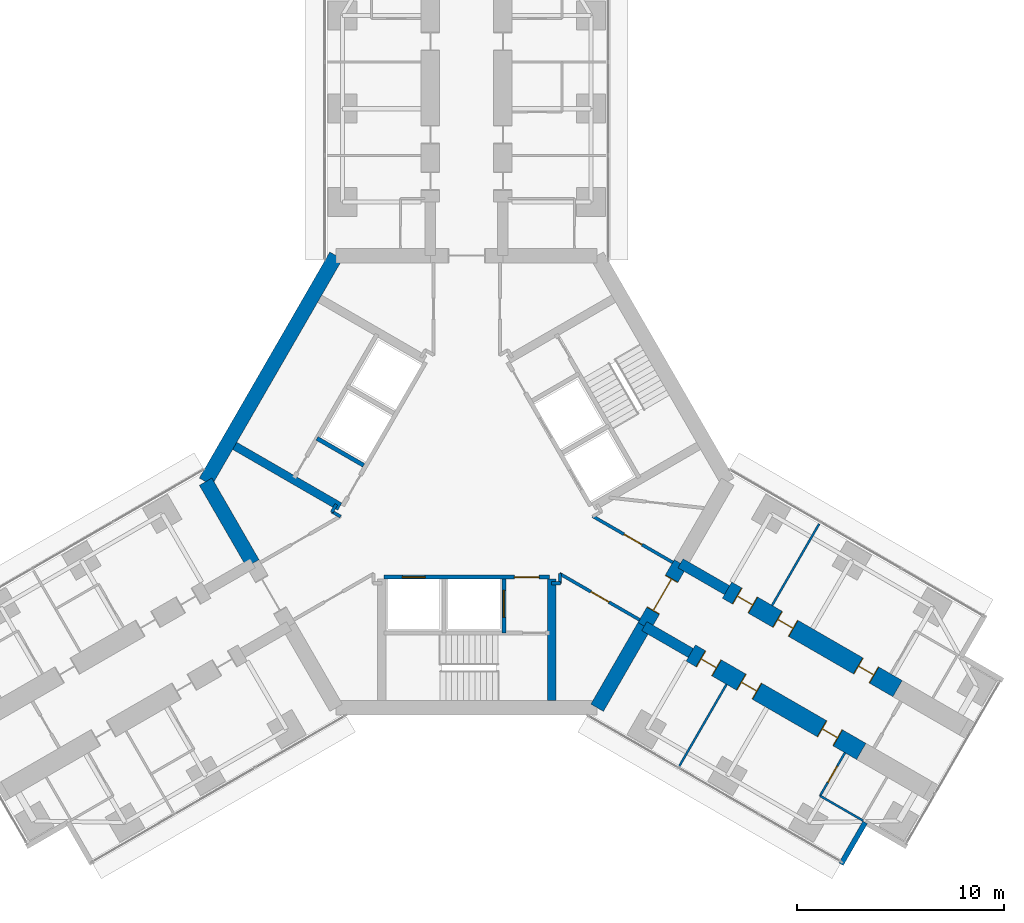
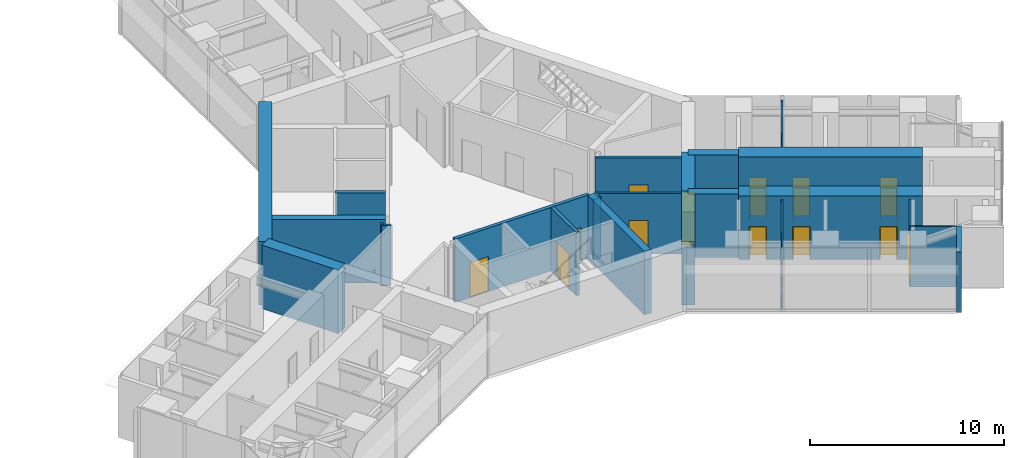
# One storey, part 21 of 25: 24 walls, 13 doors, 13 openings.
"""IFC4 building model written with IfcOpenShell, lengths in metres."""

from ifc_helpers import new_model, si_unit, direction, frame, frame_2d, origin, place, context, subcontext, project, spatial, rectangle, extrude, material, layer, layer_set, type_object, element, fill, save


model = new_model("IFC4")

# Units and contexts
model_context = context("Model", 3, precision=1e-05, world=origin(), true_north=direction((0.0, 1.0)))
body_context = subcontext(model_context, "Body", "Model", "MODEL_VIEW")
ifc_project = project(units=[si_unit("LENGTHUNIT", "METRE"), si_unit("AREAUNIT", "SQUARE_METRE"), si_unit("VOLUMEUNIT", "CUBIC_METRE"), si_unit("PLANEANGLEUNIT", "RADIAN"), si_unit("MASSUNIT", "GRAM", prefix="KILO")], contexts=[model_context])

# Site, building, storey
site_placement = place(None, origin())
site = spatial("IfcSite", under=ifc_project, at=site_placement, CompositionType="ELEMENT")
building_placement = place(site_placement, origin())
building = spatial("IfcBuilding", under=site, at=building_placement, Name="Upepo Twin Towers", CompositionType="ELEMENT")
storey_placement = place(building_placement, frame((0.0, 0.0, 80.5)))
storey = spatial("IfcBuildingStorey", under=building, at=storey_placement, Name="L19", CompositionType="ELEMENT", Elevation=80.5)

# Walls
ifc_material_1 = material(Name="Concrete C60/75", Category="concrete")
ifc_layer_1 = layer(ifc_material_1, 0.5)
ifc_layer_set_1 = layer_set([ifc_layer_1], Name="Concrete C60/75")
wall_type_1 = type_object("IfcWallType", Name="Buttress wall 500 RC", PredefinedType="SHEAR", material=ifc_layer_set_1)
for number, where, z_axis, x_axis, name in (
    (1, (68.82177734375, -21.938720703125, 0.0), (0.0, 0.0, 1.0), (0.866072649678, -0.499918158782, 0.0), "T2 wing C buttress wall L"),
    (2, (67.07177734375, -24.9697265625, 0.0), (0.0, 0.0, 1.0), (0.866031863473, -0.499988811324, 0.0), "T2 wing C buttress wall R"),
):
    element("IfcWall", number, at=place(storey_placement, frame(where, z_axis=z_axis, x_axis=x_axis)), inside=storey, type_object=wall_type_1, Name=name, PredefinedType="SHEAR", context=body_context, shape_type="SweptSolid", body=[
        extrude(rectangle(XDim=2.591796875, YDim=0.5, at=frame_2d((1.2958984375, 0.0))), origin(), (0.0, 0.0, 1.0), 4.0),
    ])

# Wall, openings, doors
ifc_material_2 = material(Name="Concrete C60/75", Category="concrete")
ifc_layer_2 = layer(ifc_material_2, 0.89990234375)
ifc_layer_set_2 = layer_set([ifc_layer_2], Name="Concrete C60/75")
wall_type_2 = type_object("IfcWallType", Name="Buttress wall 900 RC", PredefinedType="SHEAR", material=ifc_layer_set_2)
wall_1_placement = place(storey_placement, frame((71.06640625, -23.234375, 0.0), z_axis=(0.0, 0.0, 1.0), x_axis=(0.86602681393, -0.499997557548, 0.0)))
wall_1 = element("IfcWall", 3, at=wall_1_placement, inside=storey, type_object=wall_type_2, Name="T2 wing C buttress wall L part 2", PredefinedType="SHEAR", context=body_context, shape_type="SweptSolid", body=[
    extrude(rectangle(XDim=9.5, YDim=0.89990234375, at=frame_2d((4.75, 0.0))), origin(), (0.0, 0.0, 1.0), 4.0),
])
opening_1_placement = place(wall_1_placement, frame((0.550048828125, 0.0, 0.0)))
opening_1 = element("IfcOpeningElement", 4, at=opening_1_placement, cuts=wall_1, Name="Opening D14", PredefinedType="OPENING", context=body_context, shape_type="SweptSolid", body=[
    extrude(rectangle(XDim=0.89990234375, YDim=2.10009765625, at=frame_2d((0.449951171875, 1.050048828125))), frame((0.0, 0.4599609375, 0.0), z_axis=(0.0, -1.0, 0.0), x_axis=(1.0, 0.0, 0.0)), (0.0, 0.0, 1.0), 0.919921875),
])
opening_2_placement = place(wall_1_placement, frame((2.800048828125, 0.0, 0.0)))
opening_2 = element("IfcOpeningElement", 5, at=opening_2_placement, cuts=wall_1, Name="Opening D14", PredefinedType="OPENING", context=body_context, shape_type="SweptSolid", body=[
    extrude(rectangle(XDim=0.89990234375, YDim=2.10009765625, at=frame_2d((0.449951171875, 1.050048828125))), frame((0.0, 0.4599609375, 0.0), z_axis=(0.0, -1.0, 0.0), x_axis=(1.0, 0.0, 0.0)), (0.0, 0.0, 1.0), 0.919921875),
])
opening_3_placement = place(wall_1_placement, frame((7.300048828125, 0.0, 0.0)))
opening_3 = element("IfcOpeningElement", 6, at=opening_3_placement, cuts=wall_1, Name="Opening D14", PredefinedType="OPENING", context=body_context, shape_type="SweptSolid", body=[
    extrude(rectangle(XDim=0.89990234375, YDim=2.10009765625, at=frame_2d((0.449951171875, 1.050048828125))), frame((0.0, 0.4599609375, 0.0), z_axis=(0.0, -1.0, 0.0), x_axis=(1.0, 0.0, 0.0)), (0.0, 0.0, 1.0), 0.919921875),
])
ifc_material_3 = material(Name="Timber doorset", Category="wood")
door_type_1 = type_object("IfcDoorType", Name="Office door 900 FD30", OperationType="SINGLE_SWING_LEFT", PredefinedType="DOOR", material=ifc_material_3)
door_1_placement = place(opening_1_placement, origin())
door_1 = element("IfcDoor", 7, at=door_1_placement, inside=storey, type_object=door_type_1, Name="T2 L19 staff office door", OperationType="SINGLE_SWING_LEFT", OverallHeight=2.10009765625, OverallWidth=0.89990234375, PredefinedType="DOOR", context=body_context, shape_type="SweptSolid", body=[
    extrude(rectangle(XDim=0.81990234375, YDim=2.06009765625, at=frame_2d((0.449951171875, 1.030029296875))), frame((0.0, 0.02490234375, 0.0), z_axis=(0.0, -1.0, 0.0), x_axis=(1.0, 0.0, 0.0)), (0.0, 0.0, 1.0), 0.050048828125),
    extrude(rectangle(XDim=0.04, YDim=2.10009765625, at=frame_2d((0.02001953125, 1.050048828125))), frame((0.0, 0.44970703125, 0.0), z_axis=(0.0, -1.0, 0.0), x_axis=(1.0, 0.0, 0.0)), (0.0, 0.0, 1.0), 0.8994140625),
    extrude(rectangle(XDim=0.04, YDim=2.10009765625, at=frame_2d((0.8798828125, 1.050048828125))), frame((0.0, 0.44970703125, 0.0), z_axis=(0.0, -1.0, 0.0), x_axis=(1.0, 0.0, 0.0)), (0.0, 0.0, 1.0), 0.8994140625),
    extrude(rectangle(XDim=0.81990234375, YDim=0.04, at=frame_2d((0.449951171875, 2.080078125))), frame((0.0, 0.44970703125, 0.0), z_axis=(0.0, -1.0, 0.0), x_axis=(1.0, 0.0, 0.0)), (0.0, 0.0, 1.0), 0.8994140625),
])
fill(opening_1, door_1)
door_2_placement = place(opening_2_placement, origin())
door_2 = element("IfcDoor", 8, at=door_2_placement, inside=storey, type_object=door_type_1, Name="T2 L19 open-plan staff office door", OperationType="SINGLE_SWING_LEFT", OverallHeight=2.10009765625, OverallWidth=0.89990234375, PredefinedType="DOOR", context=body_context, shape_type="SweptSolid", body=[
    extrude(rectangle(XDim=0.81990234375, YDim=2.06009765625, at=frame_2d((0.449951171875, 1.030029296875))), frame((0.0, 0.02490234375, 0.0), z_axis=(0.0, -1.0, 0.0), x_axis=(1.0, 0.0, 0.0)), (0.0, 0.0, 1.0), 0.050048828125),
    extrude(rectangle(XDim=0.04, YDim=2.10009765625, at=frame_2d((0.02001953125, 1.050048828125))), frame((0.0, 0.44970703125, 0.0), z_axis=(0.0, -1.0, 0.0), x_axis=(1.0, 0.0, 0.0)), (0.0, 0.0, 1.0), 0.8994140625),
    extrude(rectangle(XDim=0.04, YDim=2.10009765625, at=frame_2d((0.8798828125, 1.050048828125))), frame((0.0, 0.44970703125, 0.0), z_axis=(0.0, -1.0, 0.0), x_axis=(1.0, 0.0, 0.0)), (0.0, 0.0, 1.0), 0.8994140625),
    extrude(rectangle(XDim=0.81990234375, YDim=0.04, at=frame_2d((0.449951171875, 2.080078125))), frame((0.0, 0.44970703125, 0.0), z_axis=(0.0, -1.0, 0.0), x_axis=(1.0, 0.0, 0.0)), (0.0, 0.0, 1.0), 0.8994140625),
])
fill(opening_2, door_2)
door_3_placement = place(opening_3_placement, origin())
door_3 = element("IfcDoor", 9, at=door_3_placement, inside=storey, type_object=door_type_1, Name="T2 L19 open-plan staff office door", OperationType="SINGLE_SWING_RIGHT", OverallHeight=2.10009765625, OverallWidth=0.89990234375, PredefinedType="DOOR", context=body_context, shape_type="SweptSolid", body=[
    extrude(rectangle(XDim=0.81990234375, YDim=2.06009765625, at=frame_2d((0.449951171875, 1.030029296875))), frame((0.0, 0.02490234375, 0.0), z_axis=(0.0, -1.0, 0.0), x_axis=(1.0, 0.0, 0.0)), (0.0, 0.0, 1.0), 0.050048828125),
    extrude(rectangle(XDim=0.04, YDim=2.10009765625, at=frame_2d((0.02001953125, 1.050048828125))), frame((0.0, 0.44970703125, 0.0), z_axis=(0.0, -1.0, 0.0), x_axis=(1.0, 0.0, 0.0)), (0.0, 0.0, 1.0), 0.8994140625),
    extrude(rectangle(XDim=0.04, YDim=2.10009765625, at=frame_2d((0.8798828125, 1.050048828125))), frame((0.0, 0.44970703125, 0.0), z_axis=(0.0, -1.0, 0.0), x_axis=(1.0, 0.0, 0.0)), (0.0, 0.0, 1.0), 0.8994140625),
    extrude(rectangle(XDim=0.81990234375, YDim=0.04, at=frame_2d((0.449951171875, 2.080078125))), frame((0.0, 0.44970703125, 0.0), z_axis=(0.0, -1.0, 0.0), x_axis=(1.0, 0.0, 0.0)), (0.0, 0.0, 1.0), 0.8994140625),
])
fill(opening_3, door_3)

wall_2_placement = place(storey_placement, frame((69.31640625, -26.265625, 0.0), z_axis=(0.0, 0.0, 1.0), x_axis=(0.86602681393, -0.499997557548, 0.0)))
wall_2 = element("IfcWall", 10, at=wall_2_placement, inside=storey, type_object=wall_type_2, Name="T2 wing C buttress wall R part 2", PredefinedType="SHEAR", context=body_context, shape_type="SweptSolid", body=[
    extrude(rectangle(XDim=9.5, YDim=0.89990234375, at=frame_2d((4.75, 0.0))), origin(), (0.0, 0.0, 1.0), 4.0),
])
opening_4_placement = place(wall_2_placement, frame((0.550048828125, 0.0, 0.0)))
opening_4 = element("IfcOpeningElement", 11, at=opening_4_placement, cuts=wall_2, Name="Opening D14", PredefinedType="OPENING", context=body_context, shape_type="SweptSolid", body=[
    extrude(rectangle(XDim=0.89990234375, YDim=2.10009765625, at=frame_2d((0.449951171875, 1.050048828125))), frame((0.0, 0.4599609375, 0.0), z_axis=(0.0, -1.0, 0.0), x_axis=(1.0, 0.0, 0.0)), (0.0, 0.0, 1.0), 0.919921875),
])
opening_5_placement = place(wall_2_placement, frame((2.800048828125, 0.0, 0.0)))
opening_5 = element("IfcOpeningElement", 12, at=opening_5_placement, cuts=wall_2, Name="Opening D14", PredefinedType="OPENING", context=body_context, shape_type="SweptSolid", body=[
    extrude(rectangle(XDim=0.89990234375, YDim=2.10009765625, at=frame_2d((0.449951171875, 1.050048828125))), frame((0.0, 0.4599609375, 0.0), z_axis=(0.0, -1.0, 0.0), x_axis=(1.0, 0.0, 0.0)), (0.0, 0.0, 1.0), 0.919921875),
])
opening_6_placement = place(wall_2_placement, frame((7.300048828125, 0.0, 0.0)))
opening_6 = element("IfcOpeningElement", 13, at=opening_6_placement, cuts=wall_2, Name="Opening D14", PredefinedType="OPENING", context=body_context, shape_type="SweptSolid", body=[
    extrude(rectangle(XDim=0.89990234375, YDim=2.10009765625, at=frame_2d((0.449951171875, 1.050048828125))), frame((0.0, 0.4599609375, 0.0), z_axis=(0.0, -1.0, 0.0), x_axis=(1.0, 0.0, 0.0)), (0.0, 0.0, 1.0), 0.919921875),
])
door_4_placement = place(opening_4_placement, origin())
door_4 = element("IfcDoor", 14, at=door_4_placement, inside=storey, type_object=door_type_1, Name="T2 L19 postgraduate office door", OperationType="SINGLE_SWING_LEFT", OverallHeight=2.10009765625, OverallWidth=0.89990234375, PredefinedType="DOOR", context=body_context, shape_type="SweptSolid", body=[
    extrude(rectangle(XDim=0.81990234375, YDim=2.06009765625, at=frame_2d((0.449951171875, 1.030029296875))), frame((0.0, 0.02490234375, 0.0), z_axis=(0.0, -1.0, 0.0), x_axis=(1.0, 0.0, 0.0)), (0.0, 0.0, 1.0), 0.050048828125),
    extrude(rectangle(XDim=0.04, YDim=2.10009765625, at=frame_2d((0.02001953125, 1.050048828125))), frame((0.0, 0.44970703125, 0.0), z_axis=(0.0, -1.0, 0.0), x_axis=(1.0, 0.0, 0.0)), (0.0, 0.0, 1.0), 0.8994140625),
    extrude(rectangle(XDim=0.04, YDim=2.10009765625, at=frame_2d((0.8798828125, 1.050048828125))), frame((0.0, 0.44970703125, 0.0), z_axis=(0.0, -1.0, 0.0), x_axis=(1.0, 0.0, 0.0)), (0.0, 0.0, 1.0), 0.8994140625),
    extrude(rectangle(XDim=0.81990234375, YDim=0.04, at=frame_2d((0.449951171875, 2.080078125))), frame((0.0, 0.44970703125, 0.0), z_axis=(0.0, -1.0, 0.0), x_axis=(1.0, 0.0, 0.0)), (0.0, 0.0, 1.0), 0.8994140625),
])
fill(opening_4, door_4)
door_5_placement = place(opening_5_placement, origin())
door_5 = element("IfcDoor", 15, at=door_5_placement, inside=storey, type_object=door_type_1, Name="T2 L19 open-plan staff office door", OperationType="SINGLE_SWING_LEFT", OverallHeight=2.10009765625, OverallWidth=0.89990234375, PredefinedType="DOOR", context=body_context, shape_type="SweptSolid", body=[
    extrude(rectangle(XDim=0.81990234375, YDim=2.06009765625, at=frame_2d((0.449951171875, 1.030029296875))), frame((0.0, 0.02490234375, 0.0), z_axis=(0.0, -1.0, 0.0), x_axis=(1.0, 0.0, 0.0)), (0.0, 0.0, 1.0), 0.050048828125),
    extrude(rectangle(XDim=0.04, YDim=2.10009765625, at=frame_2d((0.02001953125, 1.050048828125))), frame((0.0, 0.44970703125, 0.0), z_axis=(0.0, -1.0, 0.0), x_axis=(1.0, 0.0, 0.0)), (0.0, 0.0, 1.0), 0.8994140625),
    extrude(rectangle(XDim=0.04, YDim=2.10009765625, at=frame_2d((0.8798828125, 1.050048828125))), frame((0.0, 0.44970703125, 0.0), z_axis=(0.0, -1.0, 0.0), x_axis=(1.0, 0.0, 0.0)), (0.0, 0.0, 1.0), 0.8994140625),
    extrude(rectangle(XDim=0.81990234375, YDim=0.04, at=frame_2d((0.449951171875, 2.080078125))), frame((0.0, 0.44970703125, 0.0), z_axis=(0.0, -1.0, 0.0), x_axis=(1.0, 0.0, 0.0)), (0.0, 0.0, 1.0), 0.8994140625),
])
fill(opening_5, door_5)
door_6_placement = place(opening_6_placement, origin())
door_6 = element("IfcDoor", 16, at=door_6_placement, inside=storey, type_object=door_type_1, Name="T2 L19 open-plan staff office door", OperationType="SINGLE_SWING_RIGHT", OverallHeight=2.10009765625, OverallWidth=0.89990234375, PredefinedType="DOOR", context=body_context, shape_type="SweptSolid", body=[
    extrude(rectangle(XDim=0.81990234375, YDim=2.06009765625, at=frame_2d((0.449951171875, 1.030029296875))), frame((0.0, 0.02490234375, 0.0), z_axis=(0.0, -1.0, 0.0), x_axis=(1.0, 0.0, 0.0)), (0.0, 0.0, 1.0), 0.050048828125),
    extrude(rectangle(XDim=0.04, YDim=2.10009765625, at=frame_2d((0.02001953125, 1.050048828125))), frame((0.0, 0.44970703125, 0.0), z_axis=(0.0, -1.0, 0.0), x_axis=(1.0, 0.0, 0.0)), (0.0, 0.0, 1.0), 0.8994140625),
    extrude(rectangle(XDim=0.04, YDim=2.10009765625, at=frame_2d((0.8798828125, 1.050048828125))), frame((0.0, 0.44970703125, 0.0), z_axis=(0.0, -1.0, 0.0), x_axis=(1.0, 0.0, 0.0)), (0.0, 0.0, 1.0), 0.8994140625),
    extrude(rectangle(XDim=0.81990234375, YDim=0.04, at=frame_2d((0.449951171875, 2.080078125))), frame((0.0, 0.44970703125, 0.0), z_axis=(0.0, -1.0, 0.0), x_axis=(1.0, 0.0, 0.0)), (0.0, 0.0, 1.0), 0.8994140625),
])
fill(opening_6, door_6)

# Walls
ifc_material_4 = material(Name="Concrete C60/75", Category="concrete")
ifc_layer_3 = layer(ifc_material_4, 0.699951171875)
ifc_layer_set_3 = layer_set([ifc_layer_3], Name="Concrete C60/75")
wall_type_3 = type_object("IfcWallType", Name="Core wall 700 RC", PredefinedType="SHEAR", material=ifc_layer_set_3)
wall_3_placement = place(storey_placement, frame((52.2021484375, -7.091552734375, 0.0), z_axis=(0.0, 0.0, 1.0), x_axis=(-0.500005998175, -0.866021940709, 0.0)))
element("IfcWall", 17, at=wall_3_placement, inside=storey, type_object=wall_type_3, Name="T2 core wall 060", PredefinedType="SHEAR", context=body_context, shape_type="SweptSolid", body=[
    extrude(rectangle(XDim=12.595947265625, YDim=0.699951171875, at=frame_2d((6.2978515625, 0.0))), origin(), (0.0, 0.0, 1.0), 4.0),
])
for number, where, z_axis, x_axis, name in (
    (18, (45.904052734375, -18.0, 0.0), (0.0, 0.0, 1.0), (0.500024481964, -0.866011268655, 0.0), "T2 core wall 120 R"),
    (19, (64.7978515625, -28.908447265625, 0.0), (0.0, 0.0, 1.0), (0.499984222037, 0.866034513004, 0.0), "T2 core wall 240 R"),
):
    element("IfcWall", number, at=place(storey_placement, frame(where, z_axis=z_axis, x_axis=x_axis)), inside=storey, type_object=wall_type_3, Name=name, PredefinedType="SHEAR", context=body_context, shape_type="SweptSolid", body=[
        extrude(rectangle(XDim=4.548095703125, YDim=0.699951171875, at=frame_2d((2.27392578125, 0.0))), origin(), (0.0, 0.0, 1.0), 4.0),
    ])

# Wall, opening, door
wall_4_placement = place(storey_placement, frame((67.07177734375, -24.9697265625, 0.0), z_axis=(0.0, 0.0, 1.0), x_axis=(0.500010275428, 0.866019471182, 0.0)))
wall_4 = element("IfcWall", 20, at=wall_4_placement, inside=storey, type_object=wall_type_3, Name="T2 core wall 240", PredefinedType="SHEAR", context=body_context, shape_type="SweptSolid", body=[
    extrude(rectangle(XDim=3.5, YDim=0.699951171875, at=frame_2d((1.75, 0.0))), origin(), (0.0, 0.0, 1.0), 4.0),
])
opening_7_placement = place(wall_4_placement, frame((0.85009765625, 0.0, 0.0)))
opening_7 = element("IfcOpeningElement", 21, at=opening_7_placement, cuts=wall_4, Name="Opening D2", PredefinedType="OPENING", context=body_context, shape_type="SweptSolid", body=[
    extrude(rectangle(XDim=1.800048828125, YDim=2.10009765625, at=frame_2d((0.89990234375, 1.050048828125))), frame((0.0, 0.35986328125, 0.0), z_axis=(0.0, -1.0, 0.0), x_axis=(1.0, 0.0, 0.0)), (0.0, 0.0, 1.0), 0.719970703125),
])
ifc_material_5 = material(Name="Timber doorset", Category="wood")
door_type_2 = type_object("IfcDoorType", Name="Corridor double door 1800 FD60", OperationType="DOUBLE_DOOR_DOUBLE_SWING", PredefinedType="DOOR", material=ifc_material_5)
door_7_placement = place(opening_7_placement, origin())
door_7 = element("IfcDoor", 22, at=door_7_placement, inside=storey, type_object=door_type_2, Name="T2 L19 wing C corridor door", OperationType="DOUBLE_DOOR_DOUBLE_SWING", OverallHeight=2.10009765625, OverallWidth=1.800048828125, PredefinedType="DOOR", context=body_context, shape_type="SweptSolid", body=[
    extrude(rectangle(XDim=1.720048828125, YDim=2.06009765625, at=frame_2d((0.89990234375, 1.030029296875))), frame((0.0, 0.02490234375, 0.0), z_axis=(0.0, -1.0, 0.0), x_axis=(1.0, 0.0, 0.0)), (0.0, 0.0, 1.0), 0.050048828125),
    extrude(rectangle(XDim=0.04, YDim=2.10009765625, at=frame_2d((0.02001953125, 1.050048828125))), frame((0.0, 0.349609375, 0.0), z_axis=(0.0, -1.0, 0.0), x_axis=(1.0, 0.0, 0.0)), (0.0, 0.0, 1.0), 0.699462890625),
    extrude(rectangle(XDim=0.04, YDim=2.10009765625, at=frame_2d((1.780029296875, 1.050048828125))), frame((0.0, 0.349609375, 0.0), z_axis=(0.0, -1.0, 0.0), x_axis=(1.0, 0.0, 0.0)), (0.0, 0.0, 1.0), 0.699462890625),
    extrude(rectangle(XDim=1.720048828125, YDim=0.04, at=frame_2d((0.89990234375, 2.080078125))), frame((0.0, 0.349609375, 0.0), z_axis=(0.0, -1.0, 0.0), x_axis=(1.0, 0.0, 0.0)), (0.0, 0.0, 1.0), 0.699462890625),
])
fill(opening_7, door_7)

# Walls
ifc_material_6 = material(Name="Blockwork with anodised aluminium cladding", Category="masonry")
ifc_layer_4 = layer(ifc_material_6, 0.25)
ifc_layer_set_4 = layer_set([ifc_layer_4], Name="Notch cladding wall 250, pale metal")
wall_type_4 = type_object("IfcWallType", Name="Notch cladding wall 250, pale metal", PredefinedType="STANDARD", material=ifc_layer_set_4)
wall_5_placement = place(storey_placement, frame((76.5673828125, -36.456298828125, 0.0), z_axis=(0.0, 0.0, 1.0), x_axis=(0.500046648681, 0.865998469481, 0.0)))
element("IfcWall", 23, at=wall_5_placement, inside=storey, type_object=wall_type_4, Name="T2 L19 wing C notch wall R1", PredefinedType="STANDARD", context=body_context, shape_type="SweptSolid", body=[
    extrude(rectangle(XDim=2.324951171875, YDim=0.25, at=frame_2d((1.16259765625, 0.0))), origin(), (0.0, 0.0, 1.0), 3.800048828125),
])
ifc_material_7 = material(Name="Gypsum board on steel studs", Category="steel")
ifc_layer_5 = layer(ifc_material_7, 0.10009765625)
ifc_layer_set_5 = layer_set([ifc_layer_5], Name="Office partition 100 stud")
wall_type_5 = type_object("IfcWallType", Name="Office partition 100 stud", PredefinedType="PARTITIONING", material=ifc_layer_set_5)
for number, where, z_axis, x_axis, name in (
    (24, (73.239990234375, -23.9697265625, 0.0), (0.0, 0.0, 1.0), (0.499982560684, 0.866035472144, 0.0), "T2 partition CL at 15.75"),
    (25, (71.039794921875, -27.7802734375, 0.0), (0.0, 0.0, 1.0), (-0.499982560684, -0.866035472144, 0.0), "T2 partition CR at 15.75"),
):
    element("IfcWall", number, at=place(storey_placement, frame(where, z_axis=z_axis, x_axis=x_axis)), inside=storey, type_object=wall_type_5, Name=name, PredefinedType="PARTITIONING", context=body_context, shape_type="SweptSolid", body=[
        extrude(rectangle(XDim=4.550048828125, YDim=0.10009765625, at=frame_2d((2.27490234375, 0.0))), origin(), (0.0, 0.0, 1.0), 3.800048828125),
    ])
wall_6_placement = place(storey_placement, frame((75.5556640625, -33.15869140625, 0.0), z_axis=(0.0, 0.0, 1.0), x_axis=(0.866024647952, -0.500001309137, 0.0)))
element("IfcWall", 26, at=wall_6_placement, inside=storey, type_object=wall_type_5, Name="T2 inner room partition CR at 22.35", PredefinedType="PARTITIONING", context=body_context, shape_type="SweptSolid", body=[
    extrude(rectangle(XDim=2.39990234375, YDim=0.10009765625, at=frame_2d((1.199951171875, 0.0))), origin(), (0.0, 0.0, 1.0), 3.800048828125),
])

# Wall, opening, door
wall_7_placement = place(storey_placement, frame((76.755615234375, -31.080322265625, 0.0), z_axis=(0.0, 0.0, 1.0), x_axis=(-0.500001309137, -0.866024647952, 0.0)))
wall_7 = element("IfcWall", 27, at=wall_7_placement, inside=storey, type_object=wall_type_5, Name="T2 inner room partition CR end at 22.35", PredefinedType="PARTITIONING", context=body_context, shape_type="SweptSolid", body=[
    extrude(rectangle(XDim=2.39990234375, YDim=0.10009765625, at=frame_2d((1.199951171875, 0.0))), origin(), (0.0, 0.0, 1.0), 3.800048828125),
])
opening_8_placement = place(wall_7_placement, frame((0.75, 0.0, 0.0)))
opening_8 = element("IfcOpeningElement", 28, at=opening_8_placement, cuts=wall_7, Name="Opening D14", PredefinedType="OPENING", context=body_context, shape_type="SweptSolid", body=[
    extrude(rectangle(XDim=0.89990234375, YDim=2.10009765625, at=frame_2d((0.449951171875, 1.050048828125))), frame((0.0, 0.06005859375, 0.0), z_axis=(0.0, -1.0, 0.0), x_axis=(1.0, 0.0, 0.0)), (0.0, 0.0, 1.0), 0.1201171875),
])
door_8_placement = place(opening_8_placement, origin())
door_8 = element("IfcDoor", 29, at=door_8_placement, inside=storey, type_object=door_type_1, Name="T2 L19 inner room door", OperationType="SINGLE_SWING_LEFT", OverallHeight=2.10009765625, OverallWidth=0.89990234375, PredefinedType="DOOR", context=body_context, shape_type="SweptSolid", body=[
    extrude(rectangle(XDim=0.89990234375, YDim=2.10009765625, at=frame_2d((0.449951171875, 1.050048828125))), frame((0.0, 0.02490234375, 0.0), z_axis=(0.0, -1.0, 0.0), x_axis=(1.0, 0.0, 0.0)), (0.0, 0.0, 1.0), 0.050048828125),
])
fill(opening_8, door_8)

# Wall
ifc_material_8 = material(Name="Concrete C40/50", Category="concrete")
ifc_layer_6 = layer(ifc_material_8, 0.199951171875)
ifc_layer_set_6 = layer_set([ifc_layer_6], Name="Concrete C40/50")
wall_type_6 = type_object("IfcWallType", Name="Shaft wall 200 RC", PredefinedType="SHEAR", material=ifc_layer_set_6)
wall_8_placement = place(storey_placement, frame((53.52978515625, -17.208740234375, 0.0), z_axis=(0.0, 0.0, 1.0), x_axis=(-0.866062058628, 0.499936506574, 0.0)))
element("IfcWall", 30, at=wall_8_placement, inside=storey, type_object=wall_type_6, Name="T2 core W60 lobby wall", PredefinedType="SHEAR", context=body_context, shape_type="SweptSolid", body=[
    extrude(rectangle(XDim=2.599853515625, YDim=0.199951171875, at=frame_2d((1.2998046875, 0.0))), origin(), (0.0, 0.0, 1.0), 4.0),
])

# Wall, openings, doors
wall_9_placement = place(storey_placement, frame((54.5, -22.60009765625, 0.0), z_axis=(0.0, 0.0, 1.0), x_axis=(1.0, 0.0, 0.0)))
wall_9 = element("IfcWall", 31, at=wall_9_placement, inside=storey, type_object=wall_type_6, Name="T2 core W180 front wall", PredefinedType="SHEAR", context=body_context, shape_type="SweptSolid", body=[
    extrude(rectangle(XDim=8.0, YDim=0.199951171875, at=frame_2d((4.0, 0.0))), origin(), (0.0, 0.0, 1.0), 4.0),
])
opening_9_placement = place(wall_9_placement, frame((6.300048828125, 0.0, 0.0)))
opening_9 = element("IfcOpeningElement", 32, at=opening_9_placement, cuts=wall_9, Name="Opening D4", PredefinedType="OPENING", context=body_context, shape_type="SweptSolid", body=[
    extrude(rectangle(XDim=1.199951171875, YDim=2.10009765625, at=frame_2d((0.60009765625, 1.050048828125))), frame((0.0, 0.10986328125, 0.0), z_axis=(0.0, -1.0, 0.0), x_axis=(1.0, 0.0, 0.0)), (0.0, 0.0, 1.0), 0.219970703125),
])
opening_10_placement = place(wall_9_placement, frame((0.89990234375, 0.0, 0.0)))
opening_10 = element("IfcOpeningElement", 33, at=opening_10_placement, cuts=wall_9, Name="Opening LD1", PredefinedType="OPENING", context=body_context, shape_type="SweptSolid", body=[
    extrude(rectangle(XDim=1.10009765625, YDim=2.199951171875, at=frame_2d((0.550048828125, 1.10009765625))), frame((0.0, 0.10986328125, 0.0), z_axis=(0.0, -1.0, 0.0), x_axis=(1.0, 0.0, 0.0)), (0.0, 0.0, 1.0), 0.219970703125),
])
ifc_material_9 = material(Name="Steel doorset", Category="steel")
door_type_3 = type_object("IfcDoorType", Name="Lift landing door 1100", OperationType="DOUBLE_DOOR_SLIDING", PredefinedType="DOOR", material=ifc_material_9)
door_9_placement = place(opening_10_placement, origin())
door_9 = element("IfcDoor", 34, at=door_9_placement, inside=storey, type_object=door_type_3, Name="T2 L19 lift SV1 landing door", OperationType="DOUBLE_DOOR_SLIDING", OverallHeight=2.199951171875, OverallWidth=1.10009765625, PredefinedType="DOOR", context=body_context, shape_type="SweptSolid", body=[
    extrude(rectangle(XDim=1.10009765625, YDim=2.199951171875, at=frame_2d((0.550048828125, 1.10009765625))), frame((0.0, 0.02490234375, 0.0), z_axis=(0.0, -1.0, 0.0), x_axis=(1.0, 0.0, 0.0)), (0.0, 0.0, 1.0), 0.050048828125),
])
fill(opening_10, door_9)
ifc_material_10 = material(Name="Timber doorset", Category="wood")
door_type_4 = type_object("IfcDoorType", Name="Lobby door 1200 FD60", OperationType="SINGLE_SWING_LEFT", PredefinedType="DOOR", material=ifc_material_10)
door_10_placement = place(opening_9_placement, origin())
door_10 = element("IfcDoor", 35, at=door_10_placement, inside=storey, type_object=door_type_4, Name="T2 L19 W180 lobby door", OperationType="SINGLE_SWING_RIGHT", OverallHeight=2.10009765625, OverallWidth=1.199951171875, PredefinedType="DOOR", context=body_context, shape_type="SweptSolid", body=[
    extrude(rectangle(XDim=1.199951171875, YDim=2.10009765625, at=frame_2d((0.60009765625, 1.050048828125))), frame((0.0, 0.02490234375, 0.0), z_axis=(0.0, -1.0, 0.0), x_axis=(1.0, 0.0, 0.0)), (0.0, 0.0, 1.0), 0.050048828125),
])
fill(opening_9, door_10)

# Wall, opening, door
wall_10_placement = place(storey_placement, frame((60.300048828125, -22.699951171875, 0.0), z_axis=(0.0, 0.0, 1.0), x_axis=(0.0, -1.0, 0.0)))
wall_10 = element("IfcWall", 36, at=wall_10_placement, inside=storey, type_object=wall_type_6, Name="T2 core W180 lobby wall", PredefinedType="SHEAR", context=body_context, shape_type="SweptSolid", body=[
    extrude(rectangle(XDim=2.60009765625, YDim=0.199951171875, at=frame_2d((1.300048828125, 0.0))), origin(), (0.0, 0.0, 1.0), 4.0),
])
opening_11_placement = place(wall_10_placement, frame((0.550048828125, 0.0, 0.0)))
opening_11 = element("IfcOpeningElement", 37, at=opening_11_placement, cuts=wall_10, Name="Opening LD2", PredefinedType="OPENING", context=body_context, shape_type="SweptSolid", body=[
    extrude(rectangle(XDim=1.300048828125, YDim=2.199951171875, at=frame_2d((0.64990234375, 1.10009765625))), frame((0.0, 0.10986328125, 0.0), z_axis=(0.0, -1.0, 0.0), x_axis=(1.0, 0.0, 0.0)), (0.0, 0.0, 1.0), 0.219970703125),
])
ifc_material_11 = material(Name="Steel doorset", Category="steel")
door_type_5 = type_object("IfcDoorType", Name="Firefighting lift landing door 1300", OperationType="DOUBLE_DOOR_SLIDING", PredefinedType="DOOR", material=ifc_material_11)
door_11_placement = place(opening_11_placement, origin())
door_11 = element("IfcDoor", 38, at=door_11_placement, inside=storey, type_object=door_type_5, Name="T2 L19 firefighting lift landing door", OperationType="DOUBLE_DOOR_SLIDING", OverallHeight=2.199951171875, OverallWidth=1.300048828125, PredefinedType="DOOR", context=body_context, shape_type="SweptSolid", body=[
    extrude(rectangle(XDim=1.300048828125, YDim=2.199951171875, at=frame_2d((0.64990234375, 1.10009765625))), frame((0.0, 0.02490234375, 0.0), z_axis=(0.0, -1.0, 0.0), x_axis=(1.0, 0.0, 0.0)), (0.0, 0.0, 1.0), 0.050048828125),
])
fill(opening_11, door_11)

# Walls
ifc_material_12 = material(Name="Concrete C40/50", Category="concrete")
ifc_layer_7 = layer(ifc_material_12, 0.39990234375)
ifc_layer_set_7 = layer_set([ifc_layer_7], Name="Concrete C40/50")
wall_type_7 = type_object("IfcWallType", Name="Shaft wall 400 RC", PredefinedType="SHEAR", material=ifc_layer_set_7)
for number, where, z_axis, x_axis, name in (
    (39, (52.379638671875, -19.20068359375, 0.0), (0.0, 0.0, 1.0), (-0.866023886965, 0.500002627198, 0.0), "T2 core W60 side wall N"),
    (40, (62.60009765625, -22.699951171875, 0.0), (0.0, 0.0, 1.0), (0.0, -1.0, 0.0), "T2 core W180 side wall N"),
):
    element("IfcWall", number, at=place(storey_placement, frame(where, z_axis=z_axis, x_axis=x_axis)), inside=storey, type_object=wall_type_7, Name=name, PredefinedType="SHEAR", context=body_context, shape_type="SweptSolid", body=[
        extrude(rectangle(XDim=5.8583984375, YDim=0.39990234375, at=frame_2d((2.92919921875, 0.0))), origin(), (0.0, 0.0, 1.0), 4.0),
    ])
ifc_material_13 = material(Name="Gypsum board on steel studs", Category="steel")
ifc_layer_8 = layer(ifc_material_13, 0.14990234375)
ifc_layer_set_8 = layer_set([ifc_layer_8], Name="Teaching partition 150 acoustic")
wall_type_8 = type_object("IfcWallType", Name="Teaching partition 150 acoustic", PredefinedType="PARTITIONING", material=ifc_layer_set_8)
wall_11_placement = place(storey_placement, frame((52.417236328125, -19.684326171875, 0.0), z_axis=(0.0, 0.0, 1.0), x_axis=(-0.865831790172, 0.50033519877, 0.0)))
element("IfcWall", 41, at=wall_11_placement, inside=storey, type_object=wall_type_8, Name="T2 core room partition 4", PredefinedType="PARTITIONING", context=body_context, shape_type="SweptSolid", body=[
    extrude(rectangle(XDim=0.494384765625, YDim=0.14990234375, at=frame_2d((0.2470703125, 0.0))), origin(), (0.0, 0.0, 1.0), 3.800048828125),
])
wall_12_placement = place(storey_placement, frame((51.99658203125, -19.46435546875, 0.0), z_axis=(0.0, 0.0, 1.0), x_axis=(0.499804398801, 0.866138304741, 0.0)))
element("IfcWall", 42, at=wall_12_placement, inside=storey, type_object=wall_type_8, Name="T2 core room partition 5", PredefinedType="PARTITIONING", context=body_context, shape_type="SweptSolid", body=[
    extrude(rectangle(XDim=0.429931640625, YDim=0.14990234375, at=frame_2d((0.21484375, 0.0))), origin(), (0.0, 0.0, 1.0), 3.800048828125),
])

# Wall, opening, door
wall_13_placement = place(storey_placement, frame((64.582763671875, -19.664306640625, 0.0), z_axis=(0.0, 0.0, 1.0), x_axis=(0.866025445582, -0.499999927604, 0.0)))
wall_13 = element("IfcWall", 43, at=wall_13_placement, inside=storey, type_object=wall_type_8, Name="T2 core room partition 14", PredefinedType="PARTITIONING", context=body_context, shape_type="SweptSolid", body=[
    extrude(rectangle(XDim=4.46826171875, YDim=0.14990234375, at=frame_2d((2.234130859375, 0.0))), origin(), (0.0, 0.0, 1.0), 3.800048828125),
])
opening_12_placement = place(wall_13_placement, frame((1.744384765625, 0.0, 0.0)))
opening_12 = element("IfcOpeningElement", 44, at=opening_12_placement, cuts=wall_13, Name="Opening D1", PredefinedType="OPENING", context=body_context, shape_type="SweptSolid", body=[
    extrude(rectangle(XDim=1.0, YDim=2.10009765625, at=frame_2d((0.5, 1.050048828125))), frame((0.0, 0.0849609375, 0.0), z_axis=(0.0, -1.0, 0.0), x_axis=(1.0, 0.0, 0.0)), (0.0, 0.0, 1.0), 0.169921875),
])
ifc_material_14 = material(Name="Timber doorset", Category="wood")
door_type_6 = type_object("IfcDoorType", Name="Room door 1000 FD30", OperationType="SINGLE_SWING_LEFT", PredefinedType="DOOR", material=ifc_material_14)
door_12_placement = place(opening_12_placement, origin())
door_12 = element("IfcDoor", 45, at=door_12_placement, inside=storey, type_object=door_type_6, Name="T2 L19 core room door K4", OperationType="SINGLE_SWING_RIGHT", OverallHeight=2.10009765625, OverallWidth=1.0, PredefinedType="DOOR", context=body_context, shape_type="SweptSolid", body=[
    extrude(rectangle(XDim=1.0, YDim=2.10009765625, at=frame_2d((0.5, 1.050048828125))), frame((0.0, 0.02490234375, 0.0), z_axis=(0.0, -1.0, 0.0), x_axis=(1.0, 0.0, 0.0)), (0.0, 0.0, 1.0), 0.050048828125),
])
fill(opening_12, door_12)

wall_14_placement = place(storey_placement, frame((66.8525390625, -24.669921875, 0.0), z_axis=(0.0, 0.0, 1.0), x_axis=(-0.866015446554, 0.500017246033, 0.0)))
wall_14 = element("IfcWall", 46, at=wall_14_placement, inside=storey, type_object=wall_type_8, Name="T2 core room partition 15", PredefinedType="PARTITIONING", context=body_context, shape_type="SweptSolid", body=[
    extrude(rectangle(XDim=4.468505859375, YDim=0.14990234375, at=frame_2d((2.234375, 0.0))), origin(), (0.0, 0.0, 1.0), 3.800048828125),
])
opening_13_placement = place(wall_14_placement, frame((1.72412109375, 0.0, 0.0)))
opening_13 = element("IfcOpeningElement", 47, at=opening_13_placement, cuts=wall_14, Name="Opening D1", PredefinedType="OPENING", context=body_context, shape_type="SweptSolid", body=[
    extrude(rectangle(XDim=1.0, YDim=2.10009765625, at=frame_2d((0.5, 1.050048828125))), frame((0.0, 0.0849609375, 0.0), z_axis=(0.0, -1.0, 0.0), x_axis=(1.0, 0.0, 0.0)), (0.0, 0.0, 1.0), 0.169921875),
])
door_13_placement = place(opening_13_placement, origin())
door_13 = element("IfcDoor", 48, at=door_13_placement, inside=storey, type_object=door_type_6, Name="T2 L19 core room door K3", OperationType="SINGLE_SWING_LEFT", OverallHeight=2.10009765625, OverallWidth=1.0, PredefinedType="DOOR", context=body_context, shape_type="SweptSolid", body=[
    extrude(rectangle(XDim=1.0, YDim=2.10009765625, at=frame_2d((0.5, 1.050048828125))), frame((0.0, 0.02490234375, 0.0), z_axis=(0.0, -1.0, 0.0), x_axis=(1.0, 0.0, 0.0)), (0.0, 0.0, 1.0), 0.050048828125),
])
fill(opening_13, door_13)

# Walls
wall_15_placement = place(storey_placement, frame((63.0, -22.425537109375, 0.0), z_axis=(0.0, 0.0, 1.0), x_axis=(0.0, -1.0, 0.0)))
element("IfcWall", 49, at=wall_15_placement, inside=storey, type_object=wall_type_8, Name="T2 core room partition 16", PredefinedType="PARTITIONING", context=body_context, shape_type="SweptSolid", body=[
    extrude(rectangle(XDim=0.494384765625, YDim=0.14990234375, at=frame_2d((0.2470703125, 0.0))), origin(), (0.0, 0.0, 1.0), 3.800048828125),
])
wall_16_placement = place(storey_placement, frame((63.02001953125, -22.89990234375, 0.0), z_axis=(0.0, 0.0, 1.0), x_axis=(-1.0, 0.0, 0.0)))
element("IfcWall", 50, at=wall_16_placement, inside=storey, type_object=wall_type_8, Name="T2 core room partition 17", PredefinedType="PARTITIONING", context=body_context, shape_type="SweptSolid", body=[
    extrude(rectangle(XDim=0.429931640625, YDim=0.14990234375, at=frame_2d((0.21484375, 0.0))), origin(), (0.0, 0.0, 1.0), 3.800048828125),
])

save(model, "model.ifc")
